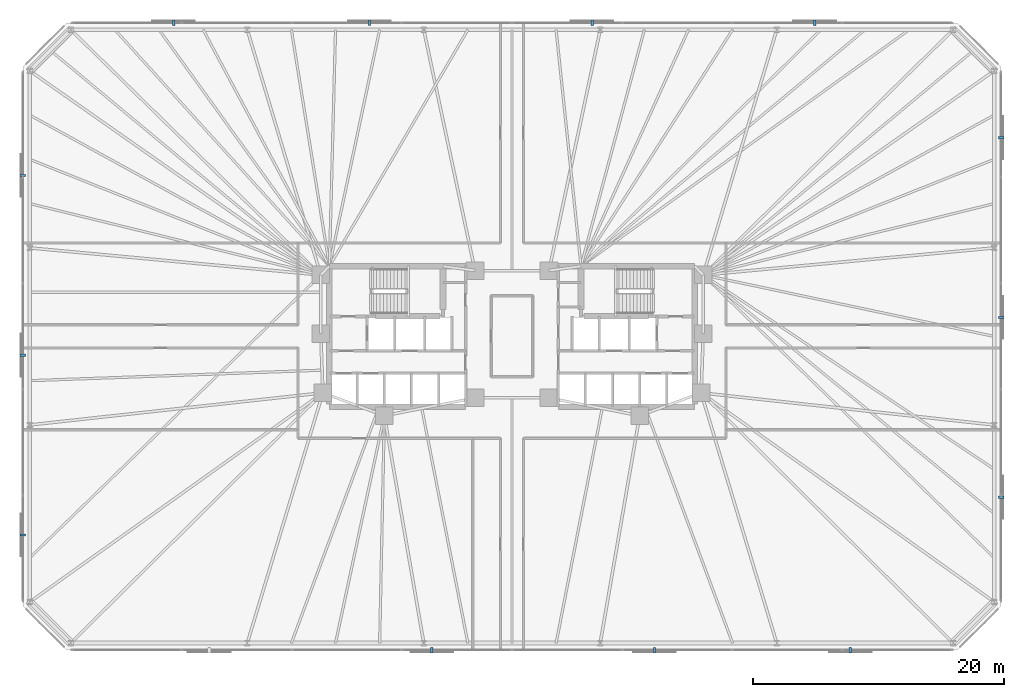
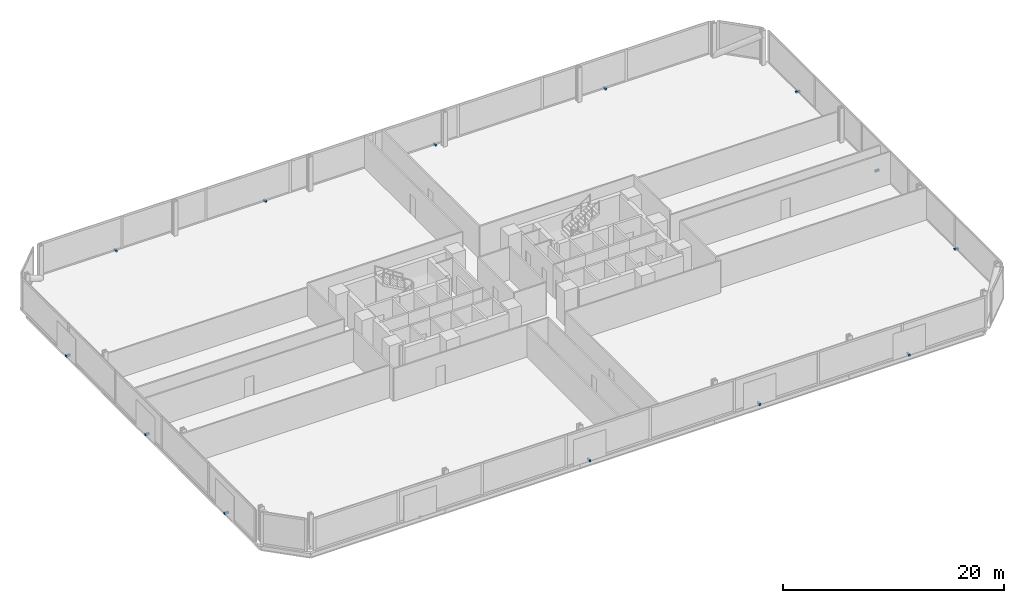
# One storey, part 15 of 16: 13 discrete accessories.
"""IFC4 building model written with IfcOpenShell, lengths in metres."""

from ifc_helpers import new_model, si_unit, direction, frame, origin, origin_2d, place, context, subcontext, project, spatial, rectangle, extrude, material, type_object, element, save


model = new_model("IFC4")

# Units and contexts
model_context = context("Model", 3, precision=1e-05, world=origin(), true_north=direction((0.0, 1.0)))
body_context = subcontext(model_context, "Body", "Model", "MODEL_VIEW")
ifc_project = project(units=[si_unit("LENGTHUNIT", "METRE"), si_unit("AREAUNIT", "SQUARE_METRE"), si_unit("VOLUMEUNIT", "CUBIC_METRE"), si_unit("PLANEANGLEUNIT", "RADIAN"), si_unit("MASSUNIT", "GRAM", prefix="KILO")], contexts=[model_context])

# Site, building, storey
site_placement = place(None, origin())
site = spatial("IfcSite", under=ifc_project, at=site_placement, CompositionType="ELEMENT")
building_placement = place(site_placement, origin())
building = spatial("IfcBuilding", under=site, at=building_placement, Name="Menara Jurai Vektor", CompositionType="ELEMENT")
storey_placement = place(building_placement, frame((0.0, 0.0, 40.800048828125)))
storey = spatial("IfcBuildingStorey", under=building, at=storey_placement, Name="L09", CompositionType="ELEMENT", Elevation=40.800048828125)

# Discrete accessories
ifc_material = material(Name="Steel S355", Category="steel")
discrete_accessory_type = type_object("IfcDiscreteAccessoryType", Name="ENV-ACC-BRACKET", PredefinedType="BRACKET", material=ifc_material)
for number, where, z_axis, x_axis, name in (
    (1, (-6.389892578125, -25.010009765625, -0.1298828125), (0.0, 0.0, 1.0), (1.0, 0.0, 0.0), "Solar Screen Stand-Off Bracket L09-S02"),
    (2, (11.360107421875, -25.010009765625, -0.1298828125), (0.0, 0.0, 1.0), (1.0, 0.0, 0.0), "Solar Screen Stand-Off Bracket L09-S03"),
    (3, (26.97998046875, -25.010009765625, -0.1298828125), (0.0, 0.0, 1.0), (1.0, 0.0, 0.0), "Solar Screen Stand-Off Bracket L09-S04"),
    (4, (39.010009765625, -12.828369140625, -0.1298828125), (0.0, 0.0, 1.0), (0.0, 1.0, 0.0), "Solar Screen Stand-Off Bracket L09-S05"),
    (5, (39.010009765625, 1.5048828125, -0.1298828125), (0.0, 0.0, 1.0), (0.0, 1.0, 0.0), "Solar Screen Stand-Off Bracket L09-S06"),
    (6, (39.010009765625, 15.83837890625, -0.1298828125), (0.0, 0.0, 1.0), (0.0, 1.0, 0.0), "Solar Screen Stand-Off Bracket L09-S07"),
    (7, (24.139892578125, 25.010009765625, -0.1298828125), (0.0, 0.0, 1.0), (-1.0, 0.0, 0.0), "Solar Screen Stand-Off Bracket L09-S08"),
    (8, (6.389892578125, 25.010009765625, -0.1298828125), (0.0, 0.0, 1.0), (-1.0, 0.0, 0.0), "Solar Screen Stand-Off Bracket L09-S09"),
    (9, (-11.360107421875, 25.010009765625, -0.1298828125), (0.0, 0.0, 1.0), (-1.0, 0.0, 0.0), "Solar Screen Stand-Off Bracket L09-S10"),
    (10, (-26.97998046875, 25.010009765625, -0.1298828125), (0.0, 0.0, 1.0), (-1.0, 0.0, 0.0), "Solar Screen Stand-Off Bracket L09-S11"),
    (11, (-39.010009765625, 12.828369140625, -0.1298828125), (0.0, 0.0, 1.0), (0.0, -1.0, 0.0), "Solar Screen Stand-Off Bracket L09-S12"),
    (12, (-39.010009765625, -1.5048828125, -0.1298828125), (0.0, 0.0, 1.0), (0.0, -1.0, 0.0), "Solar Screen Stand-Off Bracket L09-S13"),
    (13, (-39.010009765625, -15.83837890625, -0.1298828125), (0.0, 0.0, 1.0), (0.0, -1.0, 0.0), "Solar Screen Stand-Off Bracket L09-S14"),
):
    element("IfcDiscreteAccessory", number, at=place(storey_placement, frame(where, z_axis=z_axis, x_axis=x_axis)), inside=storey, type_object=discrete_accessory_type, Name=name, PredefinedType="BRACKET", context=body_context, shape_type="SweptSolid", body=[
        extrude(rectangle(XDim=0.179931640625, YDim=0.43994140625, at=origin_2d()), origin(), (0.0, 0.0, 1.0), 0.219970703125),
    ])

save(model, "model.ifc")
